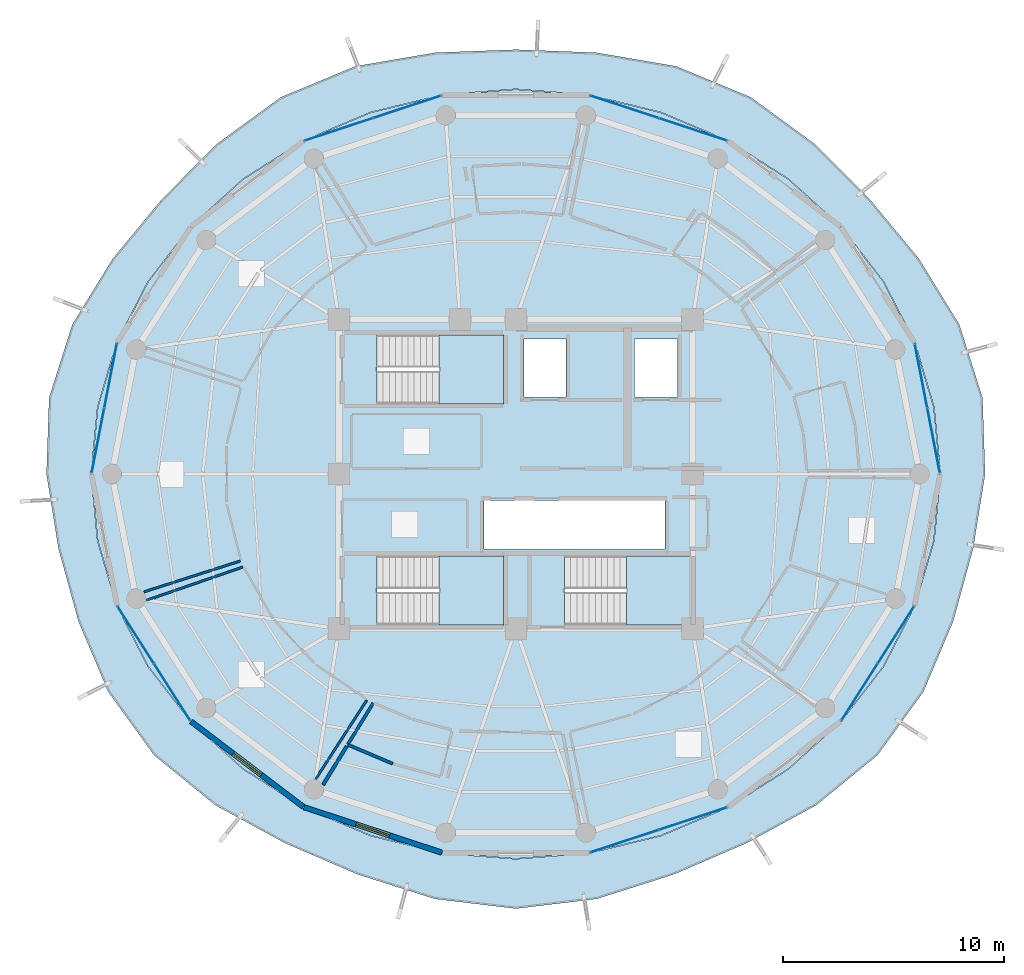
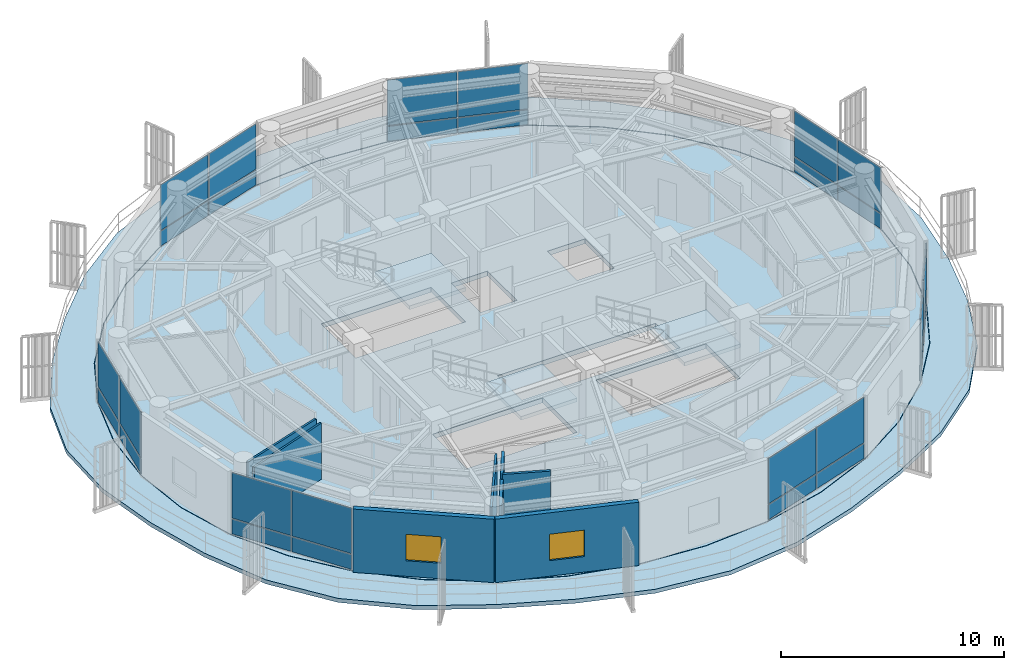
# One storey, part 15 of 23: 28 plates, 8 walls, 5 slabs, 2 windows, 2 openings, 10 elements without a shape of their own.
"""IFC4 building model written with IfcOpenShell, lengths in metres."""

from ifc_helpers import new_model, si_unit, direction, frame, frame_2d, origin, origin_2d, place, context, subcontext, project, spatial, polyline, rectangle, outline, extrude, source, transform, mapped, material, layer, layer_set, type_object, element, fill, aggregate, save


model = new_model("IFC4")

# Units and contexts
model_context = context("Model", 3, precision=1e-05, world=origin(), true_north=direction((0.0, 1.0)))
body_context = subcontext(model_context, "Body", "Model", "MODEL_VIEW")
ifc_project = project(units=[si_unit("LENGTHUNIT", "METRE"), si_unit("AREAUNIT", "SQUARE_METRE"), si_unit("VOLUMEUNIT", "CUBIC_METRE"), si_unit("PLANEANGLEUNIT", "RADIAN"), si_unit("MASSUNIT", "GRAM", prefix="KILO")], contexts=[model_context])

# Site, building, storey
site_placement = place(None, origin())
site = spatial("IfcSite", under=ifc_project, at=site_placement, CompositionType="ELEMENT")
building_placement = place(site_placement, origin())
building = spatial("IfcBuilding", under=site, at=building_placement, Name="Kelanora Arch Commons", CompositionType="ELEMENT")
storey_placement = place(building_placement, frame((0.0, 0.0, 256.199951171875)))
storey = spatial("IfcBuildingStorey", under=building, at=storey_placement, Name="L65", CompositionType="ELEMENT", Elevation=256.199951171875)

# Stair, slab
ifc_material_1 = material(Name="Concrete C40/50", Category="concrete")
stair_type = type_object("IfcStairType", Name="STR-DL-375", PredefinedType="HALF_TURN_STAIR", material=ifc_material_1)
stair_1_placement = place(storey_placement, origin())
stair_1 = element("IfcStair", 1, at=stair_1_placement, inside=storey, type_object=stair_type, Name="L65 ST-T1", PredefinedType="HALF_TURN_STAIR")
ifc_layer_1 = layer(ifc_material_1, 0.199951171875)
ifc_layer_set_1 = layer_set([ifc_layer_1], Name="Concrete C40/50")
slab_type_1 = type_object("IfcSlabType", Name="SLB-STAIR-LND", PredefinedType="LANDING", material=ifc_layer_set_1)
slab_1_placement = place(storey_placement, frame((0.0, 0.0, 1.675048828125)))
slab_1 = element("IfcSlab", 2, at=slab_1_placement, type_object=slab_type_1, Name="ST-T1 landing 1", PredefinedType="LANDING", context=body_context, shape_type="SweptSolid", body=[
    extrude(outline(polyline([(70.52001953125, 61.179931640625), (73.43994140625, 61.179931640625), (73.43994140625, 64.2900390625), (70.52001953125, 64.2900390625), (70.52001953125, 61.179931640625)])), origin(), (0.0, 0.0, 1.0), 0.199951171875),
])
aggregate(stair_1, [slab_1])

stair_2_placement = place(storey_placement, origin())
stair_2 = element("IfcStair", 3, at=stair_2_placement, inside=storey, type_object=stair_type, Name="L65 ST-T2", PredefinedType="HALF_TURN_STAIR")
slab_2_placement = place(storey_placement, frame((0.0, 0.0, 1.675048828125)))
slab_2 = element("IfcSlab", 4, at=slab_2_placement, type_object=slab_type_1, Name="ST-T2 landing 1", PredefinedType="LANDING", context=body_context, shape_type="SweptSolid", body=[
    extrude(outline(polyline([(79.0, 51.179931640625), (81.919921875, 51.179931640625), (81.919921875, 54.2900390625), (79.0, 54.2900390625), (79.0, 51.179931640625)])), origin(), (0.0, 0.0, 1.0), 0.199951171875),
])
aggregate(stair_2, [slab_2])

stair_3_placement = place(storey_placement, origin())
stair_3 = element("IfcStair", 5, at=stair_3_placement, inside=storey, type_object=stair_type, Name="L65 ST-T3", PredefinedType="HALF_TURN_STAIR")
slab_3_placement = place(storey_placement, frame((0.0, 0.0, 1.675048828125)))
slab_3 = element("IfcSlab", 6, at=slab_3_placement, type_object=slab_type_1, Name="ST-T3 landing 1", PredefinedType="LANDING", context=body_context, shape_type="SweptSolid", body=[
    extrude(outline(polyline([(70.52001953125, 51.179931640625), (73.43994140625, 51.179931640625), (73.43994140625, 54.2900390625), (70.52001953125, 54.2900390625), (70.52001953125, 51.179931640625)])), origin(), (0.0, 0.0, 1.0), 0.199951171875),
])
aggregate(stair_3, [slab_3])

# Slabs
ifc_layer_2 = layer(ifc_material_1, 0.260009765625)
ifc_layer_set_2 = layer_set([ifc_layer_2], Name="Concrete C40/50")
slab_type_2 = type_object("IfcSlabType", Name="SLB-TWR-TYP", PredefinedType="FLOOR", material=ifc_layer_set_2)
slab_4_placement = place(storey_placement, frame((0.0, 0.0, -0.260009765625)))
element("IfcSlab", 7, at=slab_4_placement, inside=storey, type_object=slab_type_2, Name="Tower Floor Slab L65", PredefinedType="FLOOR", context=body_context, shape_type="SweptSolid", body=[
    extrude(outline(polyline([(93.199951171875, 58.0), (92.908203125, 61.021484375), (92.0419921875, 63.951171875), (90.627685546875, 66.699951171875), (88.7080078125, 69.1845703125), (86.341552734375, 71.3291015625), (83.60009765625, 73.06884765625), (80.56689453125, 74.3505859375), (77.333984375, 75.1357421875), (74.0, 75.39990234375), (70.666015625, 75.1357421875), (67.43310546875, 74.3505859375), (64.39990234375, 73.06884765625), (61.658447265625, 71.3291015625), (59.2919921875, 69.1845703125), (57.372314453125, 66.699951171875), (55.9580078125, 63.951171875), (55.091796875, 61.021484375), (54.800048828125, 58.0), (55.091796875, 54.978515625), (55.9580078125, 52.048828125), (57.372314453125, 49.300048828125), (59.2919921875, 46.8154296875), (61.658447265625, 44.6708984375), (64.39990234375, 42.93115234375), (67.43310546875, 41.6494140625), (70.666015625, 40.8642578125), (74.0, 40.60009765625), (77.333984375, 40.8642578125), (80.56689453125, 41.6494140625), (83.60009765625, 42.93115234375), (86.341552734375, 44.6708984375), (88.7080078125, 46.8154296875), (90.627685546875, 49.300048828125), (92.0419921875, 52.048828125), (92.908203125, 54.978515625), (93.199951171875, 58.0)]), holes=[polyline([(73.431884765625, 51.18798828125), (67.72802734375, 51.18798828125), (67.72802734375, 54.281982421875), (73.431884765625, 54.281982421875), (73.431884765625, 51.18798828125)]), polyline([(76.2080078125, 51.18798828125), (76.2080078125, 54.281982421875), (81.912109375, 54.281982421875), (81.912109375, 51.18798828125), (76.2080078125, 51.18798828125)]), polyline([(72.550048828125, 54.60009765625), (72.550048828125, 56.800048828125), (80.75, 56.800048828125), (80.75, 54.60009765625), (72.550048828125, 54.60009765625)]), polyline([(73.431884765625, 61.18798828125), (67.72802734375, 61.18798828125), (67.72802734375, 64.281982421875), (73.431884765625, 64.281982421875), (73.431884765625, 61.18798828125)]), polyline([(74.3798828125, 61.47998046875), (74.3798828125, 64.1201171875), (76.260009765625, 64.1201171875), (76.260009765625, 61.47998046875), (74.3798828125, 61.47998046875)]), polyline([(79.3798828125, 61.47998046875), (79.3798828125, 64.1201171875), (81.320068359375, 64.1201171875), (81.320068359375, 61.47998046875), (79.3798828125, 61.47998046875)])]), origin(), (0.0, 0.0, 1.0), 0.260009765625),
])
ifc_layer_3 = layer(ifc_material_1, 0.219970703125)
ifc_layer_set_3 = layer_set([ifc_layer_3], Name="Concrete C40/50")
slab_type_3 = type_object("IfcSlabType", Name="SLB-WAVE-BAL", PredefinedType="FLOOR", material=ifc_layer_set_3)
slab_5_placement = place(storey_placement, frame((0.0, 0.0, -0.219970703125)))
element("IfcSlab", 8, at=slab_5_placement, inside=storey, type_object=slab_type_3, Name="Sinusoidal Wave Balcony Slab L65", PredefinedType="FLOOR", context=body_context, shape_type="SweptSolid", body=[
    extrude(outline(polyline([(95.2333984375, 58.0), (95.116455078125, 61.451171875), (94.066162109375, 64.763916015625), (92.24560546875, 67.730712890625), (90.03369140625, 70.412109375), (87.548095703125, 72.916015625), (84.635009765625, 75.047119140625), (81.2587890625, 76.448974609375), (77.642578125, 77.06591796875), (74.0, 77.203369140625), (70.357421875, 77.06591796875), (66.7412109375, 76.448974609375), (63.364990234375, 75.047119140625), (60.451904296875, 72.916015625), (57.96630859375, 70.412109375), (55.75439453125, 67.730712890625), (53.933837890625, 64.763916015625), (52.883544921875, 61.451171875), (52.7666015625, 58.0), (53.307861328125, 54.631591796875), (54.208251953125, 51.34619140625), (55.560302734375, 48.145751953125), (57.6337890625, 45.2802734375), (60.403564453125, 43.0205078125), (63.5498046875, 41.305908203125), (66.8515625, 39.8857421875), (70.332763671875, 38.77880859375), (74.0, 38.336669921875), (77.667236328125, 38.77880859375), (81.1484375, 39.8857421875), (84.4501953125, 41.305908203125), (87.596435546875, 43.0205078125), (90.3662109375, 45.2802734375), (92.439697265625, 48.145751953125), (93.791748046875, 51.34619140625), (94.692138671875, 54.631591796875), (95.2333984375, 58.0)]), holes=[polyline([(92.927978515625, 54.97509765625), (92.060791015625, 52.0419921875), (90.64501953125, 49.2900390625), (88.723388671875, 46.802490234375), (86.3544921875, 44.655517578125), (83.610107421875, 42.913818359375), (80.573486328125, 41.630615234375), (77.33740234375, 40.844482421875), (74.0, 40.580078125), (70.66259765625, 40.844482421875), (67.426513671875, 41.630615234375), (64.389892578125, 42.913818359375), (61.6455078125, 44.655517578125), (59.276611328125, 46.802490234375), (57.35498046875, 49.2900390625), (55.939208984375, 52.0419921875), (55.072021484375, 54.97509765625), (54.780029296875, 58.0), (55.072021484375, 61.02490234375), (55.939208984375, 63.9580078125), (57.35498046875, 66.7099609375), (59.276611328125, 69.197509765625), (61.6455078125, 71.344482421875), (64.389892578125, 73.086181640625), (67.426513671875, 74.369384765625), (70.66259765625, 75.155517578125), (74.0, 75.419921875), (77.33740234375, 75.155517578125), (80.573486328125, 74.369384765625), (83.610107421875, 73.086181640625), (86.3544921875, 71.344482421875), (88.723388671875, 69.197509765625), (90.64501953125, 66.7099609375), (92.060791015625, 63.9580078125), (92.927978515625, 61.02490234375), (93.219970703125, 58.0), (92.927978515625, 54.97509765625)])]), origin(), (0.0, 0.0, 1.0), 0.219970703125),
])

# Curtain wall, plates
ifc_material_2 = material(Name="Terracotta ceramic-fritted low-E glass and aluminium", Category="masonry")
ifc_layer_4 = layer(ifc_material_2, 0.18994140625)
ifc_layer_set_4 = layer_set([ifc_layer_4], Name="Terracotta ceramic-fritted low-E glass and aluminium")
curtain_wall_type = type_object("IfcCurtainWallType", Name="CW-SYS-03", PredefinedType="NOTDEFINED", material=ifc_layer_set_4)
curtain_wall_1_placement = place(storey_placement, origin())
curtain_wall_1 = element("IfcCurtainWall", 9, at=curtain_wall_1_placement, inside=storey, type_object=curtain_wall_type, Name="Unitised Curtain Wall L65-B00", PredefinedType="NOTDEFINED")
ifc_material_3 = material(Name="Terracotta ceramic-fritted double glazing", Category="masonry")
ifc_layer_5 = layer(ifc_material_3, 0.028076171875)
ifc_layer_set_5 = layer_set([ifc_layer_5], Name="Terracotta ceramic-fritted double glazing")
plate_type = type_object("IfcPlateType", Name="CWP-FRIT", PredefinedType="CURTAIN_PANEL", material=ifc_layer_set_5)
shared_shape_1 = source(origin(), body_context, "Body", "SweptSolid", [
    extrude(rectangle(XDim=2.926513671875, YDim=0.028076171875, at=origin_2d()), origin(), (0.0, 0.0, 1.0), 0.81005859375),
])
plate_1_placement = place(storey_placement, frame((92.90625, 59.509765625, 0.06005859375), z_axis=(0.0, 0.0, 1.0), x_axis=(-0.190971701941, 0.981595542501, 0.0)))
plate_1 = element("IfcPlate", 10, at=plate_1_placement, type_object=plate_type, Name="CW-03 panel 1.1", PredefinedType="CURTAIN_PANEL", context=body_context, shape_type="MappedRepresentation", body=[
    mapped(shared_shape_1, transform((0.0, 0.0, 0.0), scale=1.0)),
])
plate_2_placement = place(storey_placement, frame((92.3359375, 62.44140625, 0.06005859375), z_axis=(0.0, 0.0, 1.0), x_axis=(-0.190971701941, 0.981595542501, 0.0)))
plate_2 = element("IfcPlate", 11, at=plate_2_placement, type_object=plate_type, Name="CW-03 panel 2.1", PredefinedType="CURTAIN_PANEL", context=body_context, shape_type="MappedRepresentation", body=[
    mapped(shared_shape_1, transform((0.0, 0.0, 0.0), scale=1.0)),
])

curtain_wall_2_placement = place(storey_placement, origin())
curtain_wall_2 = element("IfcCurtainWall", 12, at=curtain_wall_2_placement, inside=storey, type_object=curtain_wall_type, Name="Unitised Curtain Wall L65-B08", PredefinedType="NOTDEFINED")
plate_3_placement = place(storey_placement, frame((55.6640625, 62.44140625, 0.06005859375), z_axis=(0.0, 0.0, 1.0), x_axis=(-0.190971701941, -0.981595542501, 0.0)))
plate_3 = element("IfcPlate", 13, at=plate_3_placement, type_object=plate_type, Name="CW-03 panel 1.1", PredefinedType="CURTAIN_PANEL", context=body_context, shape_type="MappedRepresentation", body=[
    mapped(shared_shape_1, transform((0.0, 0.0, 0.0), scale=1.0)),
])
plate_4_placement = place(storey_placement, frame((55.09375, 59.509765625, 0.06005859375), z_axis=(0.0, 0.0, 1.0), x_axis=(-0.190971701941, -0.981595542501, 0.0)))
plate_4 = element("IfcPlate", 14, at=plate_4_placement, type_object=plate_type, Name="CW-03 panel 2.1", PredefinedType="CURTAIN_PANEL", context=body_context, shape_type="MappedRepresentation", body=[
    mapped(shared_shape_1, transform((0.0, 0.0, 0.0), scale=1.0)),
])

# Plate
shared_shape_2 = source(origin(), body_context, "Body", "SweptSolid", [
    extrude(rectangle(XDim=2.926513671875, YDim=0.028076171875, at=origin_2d()), origin(), (0.0, 0.0, 1.0), 2.485107421875),
])
plate_5_placement = place(storey_placement, frame((92.90625, 59.509765625, 0.93017578125), z_axis=(0.0, 0.0, 1.0), x_axis=(-0.190971701941, 0.981595542501, 0.0)))
plate_5 = element("IfcPlate", 15, at=plate_5_placement, type_object=plate_type, Name="CW-03 panel 1.2", PredefinedType="CURTAIN_PANEL", context=body_context, shape_type="MappedRepresentation", body=[
    mapped(shared_shape_2, transform((0.0, 0.0, 0.0), scale=1.0)),
])

plate_6_placement = place(storey_placement, frame((92.3359375, 62.44140625, 0.93017578125), z_axis=(0.0, 0.0, 1.0), x_axis=(-0.190971701941, 0.981595542501, 0.0)))
plate_6 = element("IfcPlate", 16, at=plate_6_placement, type_object=plate_type, Name="CW-03 panel 2.2", PredefinedType="CURTAIN_PANEL", context=body_context, shape_type="MappedRepresentation", body=[
    mapped(shared_shape_2, transform((0.0, 0.0, 0.0), scale=1.0)),
])

aggregate(curtain_wall_1, [plate_1, plate_5, plate_2, plate_6])

plate_7_placement = place(storey_placement, frame((55.6640625, 62.44140625, 0.93017578125), z_axis=(0.0, 0.0, 1.0), x_axis=(-0.190971701941, -0.981595542501, 0.0)))
plate_7 = element("IfcPlate", 17, at=plate_7_placement, type_object=plate_type, Name="CW-03 panel 1.2", PredefinedType="CURTAIN_PANEL", context=body_context, shape_type="MappedRepresentation", body=[
    mapped(shared_shape_2, transform((0.0, 0.0, 0.0), scale=1.0)),
])

plate_8_placement = place(storey_placement, frame((55.09375, 59.509765625, 0.93017578125), z_axis=(0.0, 0.0, 1.0), x_axis=(-0.190971701941, -0.981595542501, 0.0)))
plate_8 = element("IfcPlate", 18, at=plate_8_placement, type_object=plate_type, Name="CW-03 panel 2.2", PredefinedType="CURTAIN_PANEL", context=body_context, shape_type="MappedRepresentation", body=[
    mapped(shared_shape_2, transform((0.0, 0.0, 0.0), scale=1.0)),
])

aggregate(curtain_wall_2, [plate_3, plate_7, plate_4, plate_8])

# Curtain wall, plates
curtain_wall_3_placement = place(storey_placement, origin())
curtain_wall_3 = element("IfcCurtainWall", 19, at=curtain_wall_3_placement, inside=storey, type_object=curtain_wall_type, Name="Unitised Curtain Wall L65-B03", PredefinedType="NOTDEFINED")
shared_shape_3 = source(origin(), body_context, "Body", "SweptSolid", [
    extrude(rectangle(XDim=3.194091796875, YDim=0.028076171875, at=origin_2d()), origin(), (0.0, 0.0, 1.0), 0.81005859375),
])
plate_9_placement = place(storey_placement, frame((82.01220703125, 73.592529296875, 0.06005859375), z_axis=(0.0, 0.0, 1.0), x_axis=(-0.949669780752, 0.313252785344, 0.0)))
plate_9 = element("IfcPlate", 20, at=plate_9_placement, type_object=plate_type, Name="CW-03 panel 1.1", PredefinedType="CURTAIN_PANEL", context=body_context, shape_type="MappedRepresentation", body=[
    mapped(shared_shape_3, transform((0.0, 0.0, 0.0), scale=1.0)),
])
plate_10_placement = place(storey_placement, frame((78.921875, 74.61181640625, 0.06005859375), z_axis=(0.0, 0.0, 1.0), x_axis=(-0.949669780752, 0.313252785344, 0.0)))
plate_10 = element("IfcPlate", 21, at=plate_10_placement, type_object=plate_type, Name="CW-03 panel 2.1", PredefinedType="CURTAIN_PANEL", context=body_context, shape_type="MappedRepresentation", body=[
    mapped(shared_shape_3, transform((0.0, 0.0, 0.0), scale=1.0)),
])

curtain_wall_4_placement = place(storey_placement, origin())
curtain_wall_4 = element("IfcCurtainWall", 22, at=curtain_wall_4_placement, inside=storey, type_object=curtain_wall_type, Name="Unitised Curtain Wall L65-B05", PredefinedType="NOTDEFINED")
plate_11_placement = place(storey_placement, frame((69.078125, 74.61181640625, 0.06005859375), z_axis=(0.0, 0.0, 1.0), x_axis=(-0.949669780752, -0.313252785344, 0.0)))
plate_11 = element("IfcPlate", 23, at=plate_11_placement, type_object=plate_type, Name="CW-03 panel 1.1", PredefinedType="CURTAIN_PANEL", context=body_context, shape_type="MappedRepresentation", body=[
    mapped(shared_shape_3, transform((0.0, 0.0, 0.0), scale=1.0)),
])
plate_12_placement = place(storey_placement, frame((65.98779296875, 73.592529296875, 0.06005859375), z_axis=(0.0, 0.0, 1.0), x_axis=(-0.949669780752, -0.313252785344, 0.0)))
plate_12 = element("IfcPlate", 24, at=plate_12_placement, type_object=plate_type, Name="CW-03 panel 2.1", PredefinedType="CURTAIN_PANEL", context=body_context, shape_type="MappedRepresentation", body=[
    mapped(shared_shape_3, transform((0.0, 0.0, 0.0), scale=1.0)),
])

curtain_wall_5_placement = place(storey_placement, origin())
curtain_wall_5 = element("IfcCurtainWall", 25, at=curtain_wall_5_placement, inside=storey, type_object=curtain_wall_type, Name="Unitised Curtain Wall L65-B14", PredefinedType="NOTDEFINED")
plate_13_placement = place(storey_placement, frame((78.921875, 41.38818359375, 0.06005859375), z_axis=(0.0, 0.0, 1.0), x_axis=(0.949669780752, 0.313252785344, 0.0)))
plate_13 = element("IfcPlate", 26, at=plate_13_placement, type_object=plate_type, Name="CW-03 panel 1.1", PredefinedType="CURTAIN_PANEL", context=body_context, shape_type="MappedRepresentation", body=[
    mapped(shared_shape_3, transform((0.0, 0.0, 0.0), scale=1.0)),
])
plate_14_placement = place(storey_placement, frame((82.01220703125, 42.407470703125, 0.06005859375), z_axis=(0.0, 0.0, 1.0), x_axis=(0.949669780752, 0.313252785344, 0.0)))
plate_14 = element("IfcPlate", 27, at=plate_14_placement, type_object=plate_type, Name="CW-03 panel 2.1", PredefinedType="CURTAIN_PANEL", context=body_context, shape_type="MappedRepresentation", body=[
    mapped(shared_shape_3, transform((0.0, 0.0, 0.0), scale=1.0)),
])

# Plate
shared_shape_4 = source(origin(), body_context, "Body", "SweptSolid", [
    extrude(rectangle(XDim=3.194091796875, YDim=0.028076171875, at=origin_2d()), origin(), (0.0, 0.0, 1.0), 2.485107421875),
])
plate_15_placement = place(storey_placement, frame((82.01220703125, 73.592529296875, 0.93017578125), z_axis=(0.0, 0.0, 1.0), x_axis=(-0.949669780752, 0.313252785344, 0.0)))
plate_15 = element("IfcPlate", 28, at=plate_15_placement, type_object=plate_type, Name="CW-03 panel 1.2", PredefinedType="CURTAIN_PANEL", context=body_context, shape_type="MappedRepresentation", body=[
    mapped(shared_shape_4, transform((0.0, 0.0, 0.0), scale=1.0)),
])

plate_16_placement = place(storey_placement, frame((78.921875, 74.61181640625, 0.93017578125), z_axis=(0.0, 0.0, 1.0), x_axis=(-0.949669780752, 0.313252785344, 0.0)))
plate_16 = element("IfcPlate", 29, at=plate_16_placement, type_object=plate_type, Name="CW-03 panel 2.2", PredefinedType="CURTAIN_PANEL", context=body_context, shape_type="MappedRepresentation", body=[
    mapped(shared_shape_4, transform((0.0, 0.0, 0.0), scale=1.0)),
])

aggregate(curtain_wall_3, [plate_9, plate_15, plate_10, plate_16])

plate_17_placement = place(storey_placement, frame((69.078125, 74.61181640625, 0.93017578125), z_axis=(0.0, 0.0, 1.0), x_axis=(-0.949669780752, -0.313252785344, 0.0)))
plate_17 = element("IfcPlate", 30, at=plate_17_placement, type_object=plate_type, Name="CW-03 panel 1.2", PredefinedType="CURTAIN_PANEL", context=body_context, shape_type="MappedRepresentation", body=[
    mapped(shared_shape_4, transform((0.0, 0.0, 0.0), scale=1.0)),
])

plate_18_placement = place(storey_placement, frame((65.98779296875, 73.592529296875, 0.93017578125), z_axis=(0.0, 0.0, 1.0), x_axis=(-0.949669780752, -0.313252785344, 0.0)))
plate_18 = element("IfcPlate", 31, at=plate_18_placement, type_object=plate_type, Name="CW-03 panel 2.2", PredefinedType="CURTAIN_PANEL", context=body_context, shape_type="MappedRepresentation", body=[
    mapped(shared_shape_4, transform((0.0, 0.0, 0.0), scale=1.0)),
])

aggregate(curtain_wall_4, [plate_11, plate_17, plate_12, plate_18])

plate_19_placement = place(storey_placement, frame((78.921875, 41.38818359375, 0.93017578125), z_axis=(0.0, 0.0, 1.0), x_axis=(0.949669780752, 0.313252785344, 0.0)))
plate_19 = element("IfcPlate", 32, at=plate_19_placement, type_object=plate_type, Name="CW-03 panel 1.2", PredefinedType="CURTAIN_PANEL", context=body_context, shape_type="MappedRepresentation", body=[
    mapped(shared_shape_4, transform((0.0, 0.0, 0.0), scale=1.0)),
])

plate_20_placement = place(storey_placement, frame((82.01220703125, 42.407470703125, 0.93017578125), z_axis=(0.0, 0.0, 1.0), x_axis=(0.949669780752, 0.313252785344, 0.0)))
plate_20 = element("IfcPlate", 33, at=plate_20_placement, type_object=plate_type, Name="CW-03 panel 2.2", PredefinedType="CURTAIN_PANEL", context=body_context, shape_type="MappedRepresentation", body=[
    mapped(shared_shape_4, transform((0.0, 0.0, 0.0), scale=1.0)),
])

aggregate(curtain_wall_5, [plate_13, plate_19, plate_14, plate_20])

# Curtain wall, plates
curtain_wall_6_placement = place(storey_placement, origin())
curtain_wall_6 = element("IfcCurtainWall", 34, at=curtain_wall_6_placement, inside=storey, type_object=curtain_wall_type, Name="Unitised Curtain Wall L65-B10", PredefinedType="NOTDEFINED")
shared_shape_5 = source(origin(), body_context, "Body", "SweptSolid", [
    extrude(rectangle(XDim=2.99755859375, YDim=0.028076171875, at=origin_2d()), origin(), (0.0, 0.0, 1.0), 0.81005859375),
])
plate_21_placement = place(storey_placement, frame((56.803466796875, 50.721435546875, 0.06005859375), z_axis=(0.0, 0.0, 1.0), x_axis=(0.537299814397, -0.843391314545, 0.0)))
plate_21 = element("IfcPlate", 35, at=plate_21_placement, type_object=plate_type, Name="CW-03 panel 1.1", PredefinedType="CURTAIN_PANEL", context=body_context, shape_type="MappedRepresentation", body=[
    mapped(shared_shape_5, transform((0.0, 0.0, 0.0), scale=1.0)),
])
plate_22_placement = place(storey_placement, frame((58.4462890625, 48.142822265625, 0.06005859375), z_axis=(0.0, 0.0, 1.0), x_axis=(0.537299814397, -0.843391314545, 0.0)))
plate_22 = element("IfcPlate", 36, at=plate_22_placement, type_object=plate_type, Name="CW-03 panel 2.1", PredefinedType="CURTAIN_PANEL", context=body_context, shape_type="MappedRepresentation", body=[
    mapped(shared_shape_5, transform((0.0, 0.0, 0.0), scale=1.0)),
])

curtain_wall_7_placement = place(storey_placement, origin())
curtain_wall_7 = element("IfcCurtainWall", 37, at=curtain_wall_7_placement, inside=storey, type_object=curtain_wall_type, Name="Unitised Curtain Wall L65-B16", PredefinedType="NOTDEFINED")
plate_23_placement = place(storey_placement, frame((89.5537109375, 48.142822265625, 0.06005859375), z_axis=(0.0, 0.0, 1.0), x_axis=(0.537299814397, 0.843391314545, 0.0)))
plate_23 = element("IfcPlate", 38, at=plate_23_placement, type_object=plate_type, Name="CW-03 panel 1.1", PredefinedType="CURTAIN_PANEL", context=body_context, shape_type="MappedRepresentation", body=[
    mapped(shared_shape_5, transform((0.0, 0.0, 0.0), scale=1.0)),
])
plate_24_placement = place(storey_placement, frame((91.196533203125, 50.721435546875, 0.06005859375), z_axis=(0.0, 0.0, 1.0), x_axis=(0.537299814397, 0.843391314545, 0.0)))
plate_24 = element("IfcPlate", 39, at=plate_24_placement, type_object=plate_type, Name="CW-03 panel 2.1", PredefinedType="CURTAIN_PANEL", context=body_context, shape_type="MappedRepresentation", body=[
    mapped(shared_shape_5, transform((0.0, 0.0, 0.0), scale=1.0)),
])

# Plate
shared_shape_6 = source(origin(), body_context, "Body", "SweptSolid", [
    extrude(rectangle(XDim=2.99755859375, YDim=0.028076171875, at=origin_2d()), origin(), (0.0, 0.0, 1.0), 2.485107421875),
])
plate_25_placement = place(storey_placement, frame((56.803466796875, 50.721435546875, 0.93017578125), z_axis=(0.0, 0.0, 1.0), x_axis=(0.537299814397, -0.843391314545, 0.0)))
plate_25 = element("IfcPlate", 40, at=plate_25_placement, type_object=plate_type, Name="CW-03 panel 1.2", PredefinedType="CURTAIN_PANEL", context=body_context, shape_type="MappedRepresentation", body=[
    mapped(shared_shape_6, transform((0.0, 0.0, 0.0), scale=1.0)),
])

plate_26_placement = place(storey_placement, frame((58.4462890625, 48.142822265625, 0.93017578125), z_axis=(0.0, 0.0, 1.0), x_axis=(0.537299814397, -0.843391314545, 0.0)))
plate_26 = element("IfcPlate", 41, at=plate_26_placement, type_object=plate_type, Name="CW-03 panel 2.2", PredefinedType="CURTAIN_PANEL", context=body_context, shape_type="MappedRepresentation", body=[
    mapped(shared_shape_6, transform((0.0, 0.0, 0.0), scale=1.0)),
])

aggregate(curtain_wall_6, [plate_21, plate_25, plate_22, plate_26])

plate_27_placement = place(storey_placement, frame((89.5537109375, 48.142822265625, 0.93017578125), z_axis=(0.0, 0.0, 1.0), x_axis=(0.537299814397, 0.843391314545, 0.0)))
plate_27 = element("IfcPlate", 42, at=plate_27_placement, type_object=plate_type, Name="CW-03 panel 1.2", PredefinedType="CURTAIN_PANEL", context=body_context, shape_type="MappedRepresentation", body=[
    mapped(shared_shape_6, transform((0.0, 0.0, 0.0), scale=1.0)),
])

plate_28_placement = place(storey_placement, frame((91.196533203125, 50.721435546875, 0.93017578125), z_axis=(0.0, 0.0, 1.0), x_axis=(0.537299814397, 0.843391314545, 0.0)))
plate_28 = element("IfcPlate", 43, at=plate_28_placement, type_object=plate_type, Name="CW-03 panel 2.2", PredefinedType="CURTAIN_PANEL", context=body_context, shape_type="MappedRepresentation", body=[
    mapped(shared_shape_6, transform((0.0, 0.0, 0.0), scale=1.0)),
])

aggregate(curtain_wall_7, [plate_23, plate_27, plate_24, plate_28])

# Wall
ifc_material_4 = material(Name="Autoclaved aerated concrete blockwork with fire plaster", Category="masonry")
ifc_layer_6 = layer(ifc_material_4, 0.14990234375)
ifc_layer_set_6 = layer_set([ifc_layer_6], Name="Autoclaved aerated concrete blockwork with fire plaster")
wall_type_1 = type_object("IfcWallType", Name="W-COMP-150", PredefinedType="PARTITIONING", material=ifc_layer_set_6)
wall_1_placement = place(storey_placement, frame((65.282958984375, 43.944091796875, 0.0), z_axis=(0.0, 0.0, 1.0), x_axis=(0.522864415557, 0.852415862677, 0.0)))
element("IfcWall", 44, at=wall_1_placement, inside=storey, type_object=wall_type_1, Name="Co-Living Studio L65-07 Enclosure Partition 5", PredefinedType="PARTITIONING", context=body_context, shape_type="SweptSolid", body=[
    extrude(rectangle(XDim=2.044677734375, YDim=0.14990234375, at=frame_2d((1.0224609375, 0.0))), origin(), (0.0, 0.0, 1.0), 3.235107421875),
])

# Wall, opening, window
ifc_material_5 = material(Name="Precast concrete C40/50 upper-zone terracotta rainscreen", Category="masonry")
ifc_layer_7 = layer(ifc_material_5, 0.239990234375)
ifc_layer_set_7 = layer_set([ifc_layer_7], Name="Precast concrete C40/50 upper-zone terracotta rainscreen")
wall_type_2 = type_object("IfcWallType", Name="W-EXT-TC2", PredefinedType="SOLIDWALL", material=ifc_layer_set_7)
wall_2_placement = place(storey_placement, frame((59.3037109375, 46.806396484375, 0.0), z_axis=(0.0, 0.0, 1.0), x_axis=(0.796010444211, -0.605282886514, 0.0)))
wall_2 = element("IfcWall", 45, at=wall_2_placement, inside=storey, type_object=wall_type_2, Name="Terracotta Exterior Wall L65-B11", PredefinedType="SOLIDWALL", context=body_context, shape_type="SweptSolid", body=[
    extrude(rectangle(XDim=6.387451171875, YDim=0.239990234375, at=frame_2d((3.19384765625, 0.0))), origin(), (0.0, 0.0, 1.0), 3.47509765625),
])
opening_1_placement = place(wall_2_placement, frame((2.39404296875, 0.0, 0.85009765625)))
opening_1 = element("IfcOpeningElement", 46, at=opening_1_placement, cuts=wall_2, Name="Opening WN-01", PredefinedType="OPENING", context=body_context, shape_type="SweptSolid", body=[
    extrude(rectangle(XDim=1.60009765625, YDim=1.449951171875, at=frame_2d((0.800048828125, 0.72509765625))), frame((0.0, 0.1298828125, 0.0), z_axis=(0.0, -1.0, 0.0), x_axis=(1.0, 0.0, 0.0)), (0.0, 0.0, 1.0), 0.260009765625),
])
ifc_material_6 = material(Name="Terracotta-anodised aluminium frame with operable low-E glazing", Category="masonry")
window_type = type_object("IfcWindowType", Name="WIN-CL-18", PartitioningType="DOUBLE_PANEL_VERTICAL", PredefinedType="WINDOW", material=ifc_material_6)
window_1_placement = place(opening_1_placement, origin())
window_1 = element("IfcWindow", 47, at=window_1_placement, inside=storey, type_object=window_type, Name="Co-Living Operable Window L65-B11", OverallHeight=1.449951171875, OverallWidth=1.60009765625, PartitioningType="SINGLE_PANEL", PredefinedType="WINDOW", context=body_context, shape_type="SweptSolid", body=[
    extrude(rectangle(XDim=1.60009765625, YDim=1.449951171875, at=frame_2d((0.800048828125, 0.72509765625))), frame((0.0, 0.030029296875, 0.0), z_axis=(0.0, -1.0, 0.0), x_axis=(1.0, 0.0, 0.0)), (0.0, 0.0, 1.0), 0.06005859375),
])
fill(opening_1, window_1)

wall_3_placement = place(storey_placement, frame((64.414306640625, 42.926513671875, 0.0), z_axis=(0.0, 0.0, 1.0), x_axis=(0.949663708393, -0.313271193954, 0.0)))
wall_3 = element("IfcWall", 48, at=wall_3_placement, inside=storey, type_object=wall_type_2, Name="Terracotta Exterior Wall L65-B12", PredefinedType="SOLIDWALL", context=body_context, shape_type="SweptSolid", body=[
    extrude(rectangle(XDim=6.568115234375, YDim=0.239990234375, at=frame_2d((3.2841796875, 0.0))), origin(), (0.0, 0.0, 1.0), 3.47509765625),
])
opening_2_placement = place(wall_3_placement, frame((2.48388671875, 0.0, 0.85009765625)))
opening_2 = element("IfcOpeningElement", 49, at=opening_2_placement, cuts=wall_3, Name="Opening WN-01", PredefinedType="OPENING", context=body_context, shape_type="SweptSolid", body=[
    extrude(rectangle(XDim=1.60009765625, YDim=1.449951171875, at=frame_2d((0.800048828125, 0.72509765625))), frame((0.0, 0.1298828125, 0.0), z_axis=(0.0, -1.0, 0.0), x_axis=(1.0, 0.0, 0.0)), (0.0, 0.0, 1.0), 0.260009765625),
])
window_2_placement = place(opening_2_placement, origin())
window_2 = element("IfcWindow", 50, at=window_2_placement, inside=storey, type_object=window_type, Name="Co-Living Operable Window L65-B12", OverallHeight=1.449951171875, OverallWidth=1.60009765625, PartitioningType="SINGLE_PANEL", PredefinedType="WINDOW", context=body_context, shape_type="SweptSolid", body=[
    extrude(rectangle(XDim=1.60009765625, YDim=1.449951171875, at=frame_2d((0.800048828125, 0.72509765625))), frame((0.0, 0.030029296875, 0.0), z_axis=(0.0, -1.0, 0.0), x_axis=(1.0, 0.0, 0.0)), (0.0, 0.0, 1.0), 0.06005859375),
])
fill(opening_2, window_2)

# Walls
ifc_material_7 = material(Name="Lightweight fire-rated acoustic stud partition")
ifc_layer_8 = layer(ifc_material_7, 0.10009765625)
ifc_layer_set_8 = layer_set([ifc_layer_8], Name="Lightweight fire-rated acoustic stud partition")
wall_type_3 = type_object("IfcWallType", Name="W-PART-100", PredefinedType="PARTITIONING", material=ifc_layer_set_8)
wall_4_placement = place(storey_placement, frame((61.531982421875, 54.064697265625, 0.0), z_axis=(0.0, 0.0, 1.0), x_axis=(-0.95227750557, -0.305233602976, 0.0)))
element("IfcWall", 51, at=wall_4_placement, inside=storey, type_object=wall_type_3, Name="Social Sky Lounge L65-05 Enclosure Partition 4", PredefinedType="PARTITIONING", context=body_context, shape_type="SweptSolid", body=[
    extrude(rectangle(XDim=4.5654296875, YDim=0.10009765625, at=frame_2d((2.28271484375, 0.0))), origin(), (0.0, 0.0, 1.0), 3.175048828125),
])
wall_5_placement = place(storey_placement, frame((67.254150390625, 47.760498046875, 0.0), z_axis=(0.0, 0.0, 1.0), x_axis=(-0.544234825024, -0.838932926539, 0.0)))
element("IfcWall", 52, at=wall_5_placement, inside=storey, type_object=wall_type_3, Name="Quiet Seminar Study Room L65-06 Enclosure Partition 4", PredefinedType="PARTITIONING", context=body_context, shape_type="SweptSolid", body=[
    extrude(rectangle(XDim=4.2490234375, YDim=0.10009765625, at=frame_2d((2.12451171875, 0.0))), origin(), (0.0, 0.0, 1.0), 3.074951171875),
])
wall_6_placement = place(storey_placement, frame((57.291015625, 52.28662109375, 0.0), z_axis=(0.0, 0.0, 1.0), x_axis=(0.945103281494, 0.326771766388, 0.0)))
element("IfcWall", 53, at=wall_6_placement, inside=storey, type_object=wall_type_3, Name="Quiet Seminar Study Room L65-06 Enclosure Partition 8", PredefinedType="PARTITIONING", context=body_context, shape_type="SweptSolid", body=[
    extrude(rectangle(XDim=4.603759765625, YDim=0.10009765625, at=frame_2d((2.3017578125, 0.0))), origin(), (0.0, 0.0, 1.0), 3.074951171875),
])
ifc_material_8 = material(Name="Moisture-resistant fire-rated cement-board plumbing wall")
ifc_layer_9 = layer(ifc_material_8, 0.1298828125)
ifc_layer_set_9 = layer_set([ifc_layer_9], Name="Moisture-resistant fire-rated cement-board plumbing wall")
wall_type_4 = type_object("IfcWallType", Name="W-WET-120", PredefinedType="PLUMBINGWALL", material=ifc_layer_set_9)
wall_7_placement = place(storey_placement, frame((68.421630859375, 44.896728515625, 0.0), z_axis=(0.0, 0.0, 1.0), x_axis=(-0.920791207069, 0.390055833162, 0.0)))
element("IfcWall", 54, at=wall_7_placement, inside=storey, type_object=wall_type_4, Name="En-Suite Shower WC L65-07 Enclosure Partition 5", PredefinedType="PLUMBINGWALL", context=body_context, shape_type="SweptSolid", body=[
    extrude(rectangle(XDim=2.18310546875, YDim=0.1298828125, at=frame_2d((1.091552734375, 0.0))), origin(), (0.0, 0.0, 1.0), 3.47998046875),
])
wall_8_placement = place(storey_placement, frame((66.403564453125, 45.77294921875, 0.0), z_axis=(0.0, 0.0, 1.0), x_axis=(0.523029155304, 0.85231479085, 0.0)))
element("IfcWall", 55, at=wall_8_placement, inside=storey, type_object=wall_type_4, Name="En-Suite Shower WC L65-07 Enclosure Partition 6", PredefinedType="PLUMBINGWALL", context=body_context, shape_type="SweptSolid", body=[
    extrude(rectangle(XDim=2.18115234375, YDim=0.1298828125, at=frame_2d((1.090576171875, 0.0))), origin(), (0.0, 0.0, 1.0), 3.175048828125),
])

save(model, "model.ifc")
